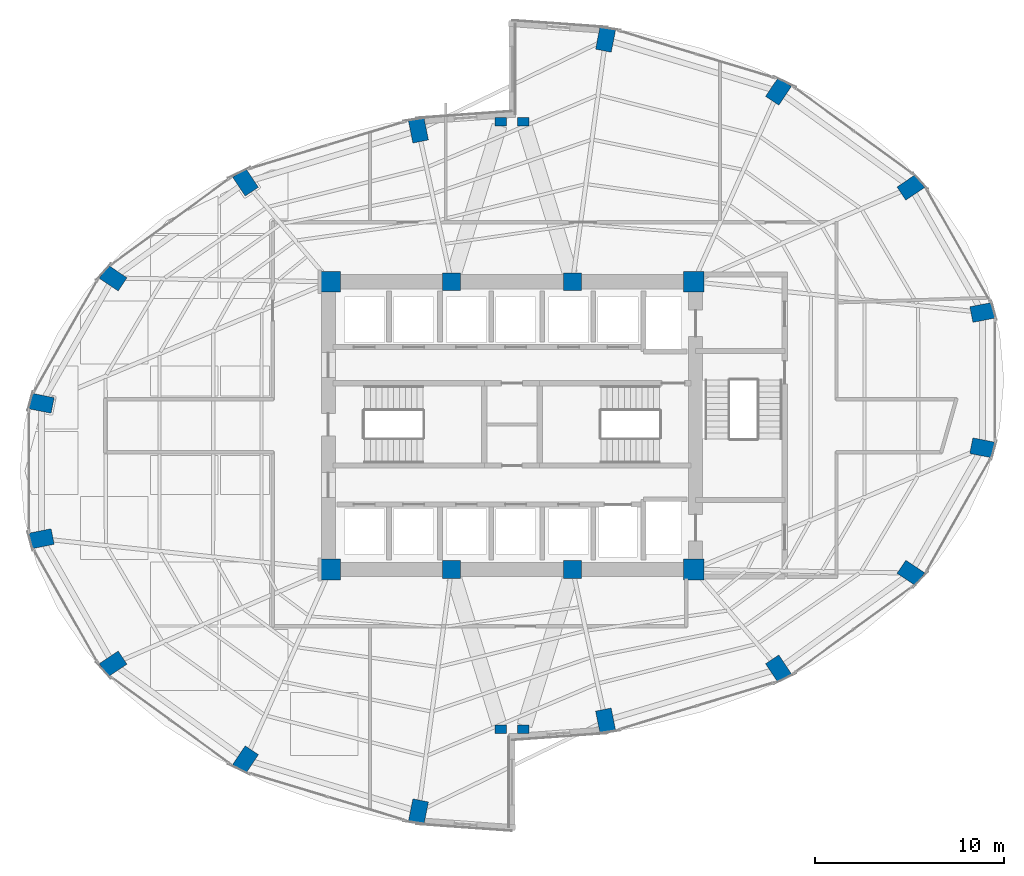
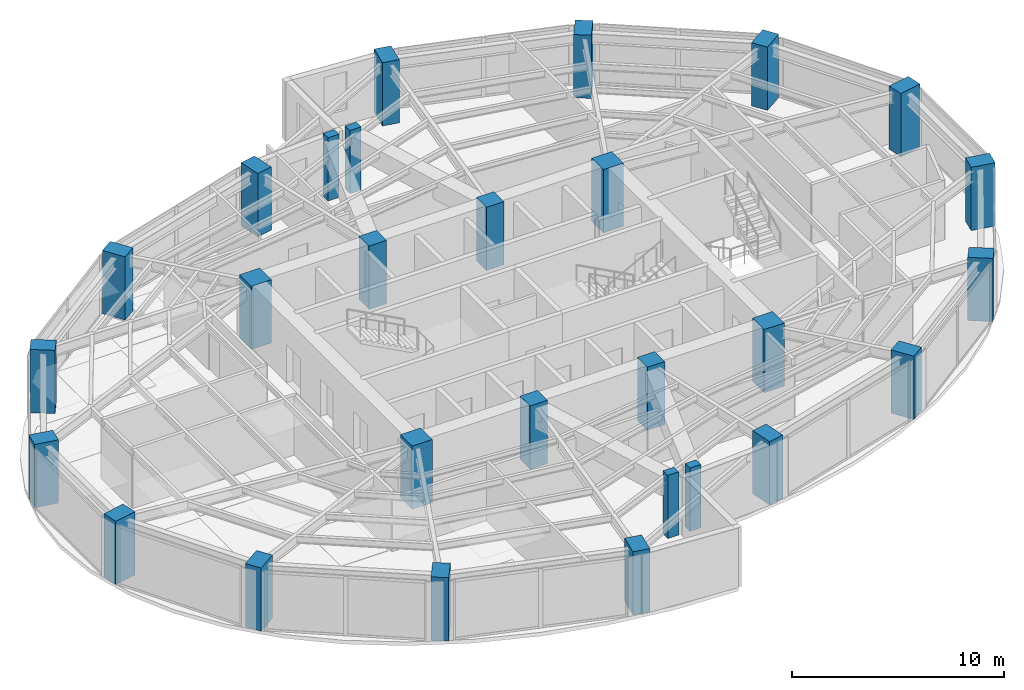
# One storey, part 1 of 23: 28 columns.
"""IFC4 building model written with IfcOpenShell, lengths in metres."""

from ifc_helpers import new_model, si_unit, direction, frame, origin, origin_2d, place, context, subcontext, project, spatial, rectangle, extrude, material, material_profile, profile_set, type_object, element, save


model = new_model("IFC4")

# Units and contexts
model_context = context("Model", 3, precision=1e-05, world=origin(), true_north=direction((0.0, 1.0)))
body_context = subcontext(model_context, "Body", "Model", "MODEL_VIEW")
ifc_project = project(units=[si_unit("LENGTHUNIT", "METRE"), si_unit("AREAUNIT", "SQUARE_METRE"), si_unit("VOLUMEUNIT", "CUBIC_METRE"), si_unit("PLANEANGLEUNIT", "RADIAN"), si_unit("MASSUNIT", "GRAM", prefix="KILO")], contexts=[model_context])

# Site, building, storey
site_placement = place(None, origin())
site = spatial("IfcSite", under=ifc_project, at=site_placement, CompositionType="ELEMENT")
building_placement = place(site_placement, origin())
building = spatial("IfcBuilding", under=site, at=building_placement, Name="Lazwardi Medical Tower", CompositionType="ELEMENT")
storey_placement = place(building_placement, frame((0.0, 0.0, 125.52001953125)))
storey = spatial("IfcBuildingStorey", under=building, at=storey_placement, Name="L32", CompositionType="ELEMENT", Elevation=125.52001953125)

# Columns
ifc_material_1 = material(Name="Concrete C80/95", Category="concrete")
ifc_material_profile_1 = material_profile(ifc_material_1, rectangle(XDim=1.10009765625, YDim=1.10009765625, at=origin_2d()), Name="RC 1100x1100")
ifc_profile_set_1 = profile_set([ifc_material_profile_1], Name="Concrete C80/95")
column_type_1 = type_object("IfcColumnType", Name="COL-CC-L", PredefinedType="COLUMN", material=ifc_profile_set_1)
for number, where, z_axis, x_axis, name in (
    (1, (26.39990234375, 20.39990234375, 0.0), (0.0, 0.0, 1.0), (1.0, 0.0, 0.0), "Core column CC-01 CC1 L32"),
    (2, (45.60009765625, 20.39990234375, 0.0), (0.0, 0.0, 1.0), (1.0, 0.0, 0.0), "Core column CC-01 CC4 L32"),
    (3, (45.60009765625, 35.60009765625, 0.0), (0.0, 0.0, 1.0), (1.0, 0.0, 0.0), "Core column CC-01 CC5 L32"),
    (4, (26.39990234375, 35.60009765625, 0.0), (0.0, 0.0, 1.0), (1.0, 0.0, 0.0), "Core column CC-01 CC8 L32"),
):
    element("IfcColumn", number, at=place(storey_placement, frame(where, z_axis=z_axis, x_axis=x_axis)), inside=storey, type_object=column_type_1, Name=name, PredefinedType="COLUMN", context=body_context, shape_type="SweptSolid", body=[
        extrude(rectangle(XDim=1.10009765625, YDim=1.10009765625, at=origin_2d()), origin(), (0.0, 0.0, 1.0), 3.64794921875),
    ])
ifc_material_2 = material(Name="Concrete C70/85", Category="concrete")
ifc_material_profile_2 = material_profile(ifc_material_2, rectangle(XDim=0.949951171875, YDim=0.949951171875, at=origin_2d()), Name="RC 950x950")
ifc_profile_set_2 = profile_set([ifc_material_profile_2], Name="Concrete C70/85")
column_type_2 = type_object("IfcColumnType", Name="COL-CC-M", PredefinedType="COLUMN", material=ifc_profile_set_2)
for number, where, z_axis, x_axis, name in (
    (5, (32.800048828125, 20.39990234375, 0.0), (0.0, 0.0, 1.0), (1.0, 0.0, 0.0), "Core column CC-02 CC2 L32"),
    (6, (39.199951171875, 20.39990234375, 0.0), (0.0, 0.0, 1.0), (1.0, 0.0, 0.0), "Core column CC-02 CC3 L32"),
    (7, (39.199951171875, 35.60009765625, 0.0), (0.0, 0.0, 1.0), (1.0, 0.0, 0.0), "Core column CC-02 CC6 L32"),
    (8, (32.800048828125, 35.60009765625, 0.0), (0.0, 0.0, 1.0), (1.0, 0.0, 0.0), "Core column CC-02 CC7 L32"),
):
    element("IfcColumn", number, at=place(storey_placement, frame(where, z_axis=z_axis, x_axis=x_axis)), inside=storey, type_object=column_type_2, Name=name, PredefinedType="COLUMN", context=body_context, shape_type="SweptSolid", body=[
        extrude(rectangle(XDim=0.949951171875, YDim=0.949951171875, at=origin_2d()), origin(), (0.0, 0.0, 1.0), 3.64794921875),
    ])
ifc_material_profile_3 = material_profile(ifc_material_2, rectangle(XDim=1.199951171875, YDim=0.840087890625, at=origin_2d()), Name="CFT-RECT 1200x840")
ifc_profile_set_3 = profile_set([ifc_material_profile_3], Name="Concrete C70/85")
column_type_3 = type_object("IfcColumnType", Name="COL-MC-Z2", PredefinedType="COLUMN", material=ifc_profile_set_3)
for number, where, z_axis, x_axis, name in (
    (9, (40.945556640625, 12.402587890625, 0.0), (0.0, 0.0, 1.0), (0.195090322016, -0.980785280403, 0.0), "Mega column MC-04 M01 L32"),
    (10, (50.083740234375, 15.142578125, 0.0), (0.0, 0.0, 1.0), (0.55557023302, -0.831469612303, 0.0), "Mega column MC-04 M02 L32"),
    (11, (57.077880859375, 20.205322265625, 0.0), (0.0, 0.0, 1.0), (0.831469612303, -0.55557023302, 0.0), "Mega column MC-04 M03 L32"),
    (12, (60.86279296875, 26.820068359375, 0.0), (0.0, 0.0, 1.0), (0.980785280403, -0.195090322016, 0.0), "Mega column MC-04 M04 L32"),
    (13, (60.86279296875, 33.97998046875, 0.0), (0.0, 0.0, 1.0), (0.980785280403, 0.195090322016, 0.0), "Mega column MC-04 M05 L32"),
    (14, (57.077880859375, 40.5947265625, 0.0), (0.0, 0.0, 1.0), (0.831469612303, 0.55557023302, 0.0), "Mega column MC-04 M06 L32"),
    (15, (50.083740234375, 45.657470703125, 0.0), (0.0, 0.0, 1.0), (0.55557023302, 0.831469612303, 0.0), "Mega column MC-04 M07 L32"),
    (16, (40.945556640625, 48.3974609375, 0.0), (0.0, 0.0, 1.0), (0.195090322016, 0.980785280403, 0.0), "Mega column MC-04 M08 L32"),
    (17, (31.054443359375, 43.597412109375, 0.0), (0.0, 0.0, 1.0), (-0.195090322016, 0.980785280403, 0.0), "Mega column MC-04 M09 L32"),
    (18, (21.916259765625, 40.857421875, 0.0), (0.0, 0.0, 1.0), (-0.55557023302, 0.831469612303, 0.0), "Mega column MC-04 M10 L32"),
    (19, (14.922119140625, 35.794677734375, 0.0), (0.0, 0.0, 1.0), (-0.831469612303, 0.55557023302, 0.0), "Mega column MC-04 M11 L32"),
    (20, (11.13720703125, 29.179931640625, 0.0), (0.0, 0.0, 1.0), (-0.980785280403, 0.195090322016, 0.0), "Mega column MC-04 M12 L32"),
    (21, (11.13720703125, 22.02001953125, 0.0), (0.0, 0.0, 1.0), (-0.980785280403, -0.195090322016, 0.0), "Mega column MC-04 M13 L32"),
    (22, (14.922119140625, 15.4052734375, 0.0), (0.0, 0.0, 1.0), (-0.831469612303, -0.55557023302, 0.0), "Mega column MC-04 M14 L32"),
    (23, (21.916259765625, 10.342529296875, 0.0), (0.0, 0.0, 1.0), (-0.55557023302, -0.831469612303, 0.0), "Mega column MC-04 M15 L32"),
    (24, (31.054443359375, 7.6025390625, 0.0), (0.0, 0.0, 1.0), (-0.195090322016, -0.980785280403, 0.0), "Mega column MC-04 M16 L32"),
):
    element("IfcColumn", number, at=place(storey_placement, frame(where, z_axis=z_axis, x_axis=x_axis)), inside=storey, type_object=column_type_3, Name=name, PredefinedType="COLUMN", context=body_context, shape_type="SweptSolid", body=[
        extrude(rectangle(XDim=1.199951171875, YDim=0.840087890625, at=origin_2d()), origin(), (0.0, 0.0, 1.0), 3.64794921875),
    ])
ifc_material_3 = material(Name="Concrete C60/75", Category="concrete")
ifc_material_profile_4 = material_profile(ifc_material_3, rectangle(XDim=0.60009765625, YDim=0.449951171875, at=origin_2d()), Name="RC 600x450")
ifc_profile_set_4 = profile_set([ifc_material_profile_4], Name="Concrete C60/75")
column_type_4 = type_object("IfcColumnType", Name="COL-PL-IW", PredefinedType="PILASTER", material=ifc_profile_set_4)
for number, where, z_axis, x_axis, name in (
    (25, (35.39990234375, 44.050048828125, 0.0), (0.0, 0.0, 1.0), (1.0, 0.0, 0.0), "Iwan pilaster column PL-C1 PL1 L32"),
    (26, (36.60009765625, 44.050048828125, 0.0), (0.0, 0.0, 1.0), (1.0, 0.0, 0.0), "Iwan pilaster column PL-C1 PL2 L32"),
    (27, (35.39990234375, 11.949951171875, 0.0), (0.0, 0.0, 1.0), (1.0, 0.0, 0.0), "Iwan pilaster column PL-C1 PL3 L32"),
    (28, (36.60009765625, 11.949951171875, 0.0), (0.0, 0.0, 1.0), (1.0, 0.0, 0.0), "Iwan pilaster column PL-C1 PL4 L32"),
):
    element("IfcColumn", number, at=place(storey_placement, frame(where, z_axis=z_axis, x_axis=x_axis)), inside=storey, type_object=column_type_4, Name=name, PredefinedType="PILASTER", context=body_context, shape_type="SweptSolid", body=[
        extrude(rectangle(XDim=0.60009765625, YDim=0.449951171875, at=origin_2d()), origin(), (0.0, 0.0, 1.0), 3.64794921875),
    ])

save(model, "model.ifc")
